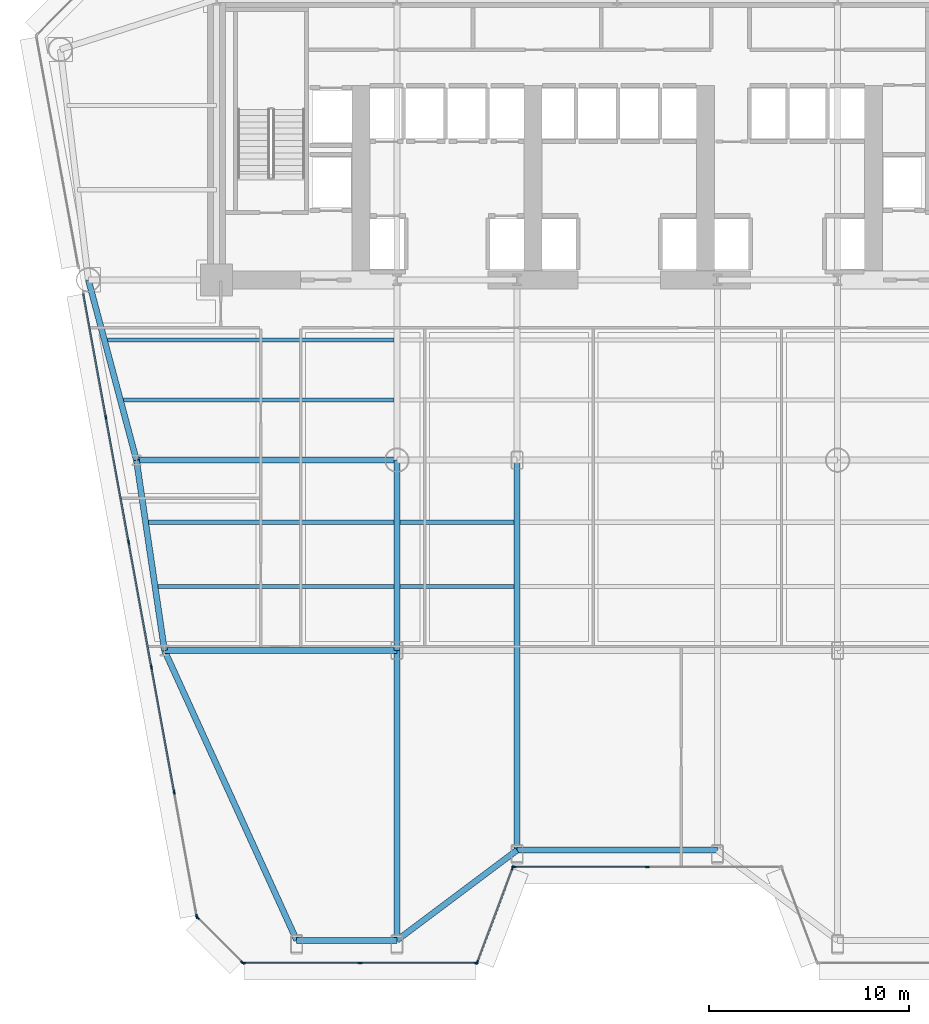
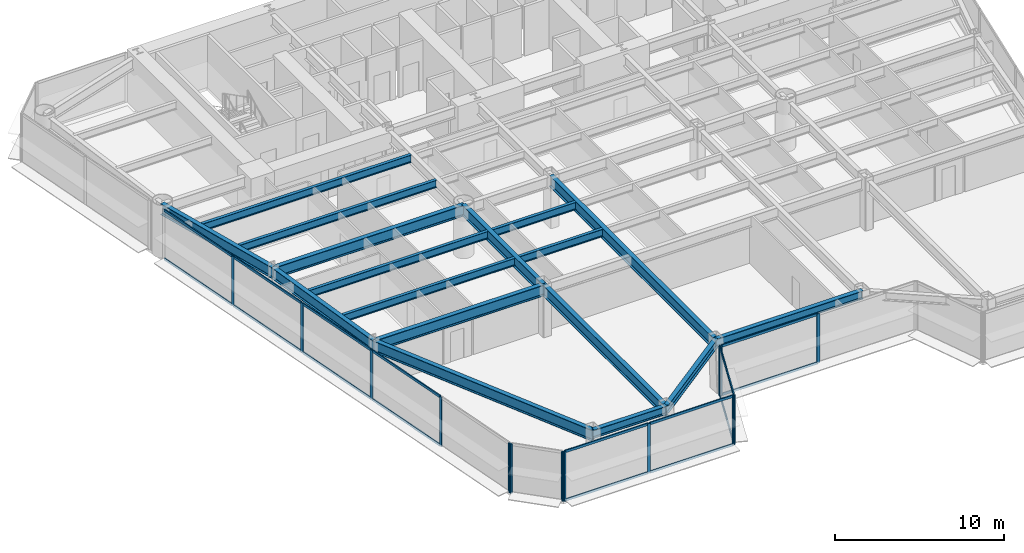
# One storey, part 2 of 14: 30 members, 17 beams, 5 elements without a shape of their own.
"""IFC4 building model written with IfcOpenShell, lengths in metres."""

from ifc_helpers import new_model, si_unit, direction, frame, origin, origin_2d, place, context, subcontext, project, spatial, rectangle, i_section, extrude, source, transform, mapped, material, layer, layer_set, material_profile, profile_set, type_object, element, aggregate, save


model = new_model("IFC4")

# Units and contexts
model_context = context("Model", 3, precision=1e-05, world=origin(), true_north=direction((0.0, 1.0)))
body_context = subcontext(model_context, "Body", "Model", "MODEL_VIEW")
ifc_project = project(units=[si_unit("LENGTHUNIT", "METRE"), si_unit("AREAUNIT", "SQUARE_METRE"), si_unit("VOLUMEUNIT", "CUBIC_METRE"), si_unit("PLANEANGLEUNIT", "RADIAN"), si_unit("MASSUNIT", "GRAM", prefix="KILO")], contexts=[model_context])

# Site, building, storey
site_placement = place(None, origin())
site = spatial("IfcSite", under=ifc_project, at=site_placement, CompositionType="ELEMENT")
building_placement = place(site_placement, origin())
building = spatial("IfcBuilding", under=site, at=building_placement, Name="Vaeldorn Concourse Tower", CompositionType="ELEMENT")
storey_placement = place(building_placement, frame((0.0, 0.0, 56.800048828125)))
storey = spatial("IfcBuildingStorey", under=building, at=storey_placement, Name="L14", CompositionType="ELEMENT", Elevation=56.800048828125)

# Beams
ifc_material_1 = material(Name="Steel S355", Category="steel")
ifc_material_profile_1 = material_profile(ifc_material_1, i_section(OverallWidth=0.300048828125, OverallDepth=0.800048828125, WebThickness=0.017578125, FlangeThickness=0.032958984375, FilletRadius=0.030029296875, at=origin_2d()), Name="HEB 800")
ifc_profile_set_1 = profile_set([ifc_material_profile_1], Name="Steel S355")
beam_type_1 = type_object("IfcBeamType", Name="BM-PG-HEB800", PredefinedType="BEAM", material=ifc_profile_set_1)
shared_shape_1 = source(origin(), body_context, "Body", "SweptSolid", [
    extrude(i_section(OverallWidth=0.300048828125, OverallDepth=0.800048828125, WebThickness=0.017578125, FlangeThickness=0.032958984375, FilletRadius=0.030029296875, at=origin_2d()), origin(), (0.0, 0.0, 1.0), 9.314453125),
])
beam_1_placement = place(storey_placement, frame((7.60009765625, 36.5, 3.179931640625), z_axis=(0.257652862255, -0.966237549763, 0.0), x_axis=(0.966237549763, 0.257652862255, 0.0)))
element("IfcBeam", 1, at=beam_1_placement, inside=storey, type_object=beam_type_1, Name="Beam BM-L14-C-NW2-C-FLW1", PredefinedType="BEAM", context=body_context, shape_type="MappedRepresentation", body=[
    mapped(shared_shape_1, transform((0.0, 0.0, 0.0), scale=1.0)),
])
shared_shape_2 = source(origin(), body_context, "Body", "SweptSolid", [
    extrude(i_section(OverallWidth=0.300048828125, OverallDepth=0.800048828125, WebThickness=0.017578125, FlangeThickness=0.032958984375, FilletRadius=0.030029296875, at=origin_2d()), origin(), (0.0, 0.0, 1.0), 13.0),
])
beam_2_placement = place(storey_placement, frame((10.0, 27.5, 3.179931640625), z_axis=(1.0, 0.0, 0.0), x_axis=(0.0, 1.0, 0.0)))
element("IfcBeam", 2, at=beam_2_placement, inside=storey, type_object=beam_type_1, Name="Beam BM-L14-C-FLW1-C-TW1", PredefinedType="BEAM", context=body_context, shape_type="MappedRepresentation", body=[
    mapped(shared_shape_2, transform((0.0, 0.0, 0.0), scale=1.0)),
])
ifc_material_profile_2 = material_profile(ifc_material_1, i_section(OverallWidth=0.300048828125, OverallDepth=0.60009765625, WebThickness=0.015380859375, FlangeThickness=0.030029296875, FilletRadius=0.027099609375, at=origin_2d()), Name="HEB 600")
ifc_profile_set_2 = profile_set([ifc_material_profile_2], Name="Steel S355")
beam_type_2 = type_object("IfcBeamType", Name="BM-SP-HEB600", PredefinedType="SPANDREL", material=ifc_profile_set_2)
shared_shape_3 = source(origin(), body_context, "Body", "SweptSolid", [
    extrude(i_section(OverallWidth=0.300048828125, OverallDepth=0.60009765625, WebThickness=0.015380859375, FlangeThickness=0.030029296875, FilletRadius=0.027099609375, at=origin_2d()), origin(), (0.0, 0.0, 1.0), 5.0),
])
beam_3_placement = place(storey_placement, frame((18.0, 3.52978515625, 3.280029296875), z_axis=(1.0, 0.0, 0.0), x_axis=(0.0, 1.0, 0.0)))
element("IfcBeam", 3, at=beam_3_placement, inside=storey, type_object=beam_type_2, Name="Beam BM-L14-C-SF1-C-SF2", PredefinedType="SPANDREL", context=body_context, shape_type="MappedRepresentation", body=[
    mapped(shared_shape_3, transform((0.0, 0.0, 0.0), scale=1.0)),
])
shared_shape_4 = source(origin(), body_context, "Body", "SweptSolid", [
    extrude(i_section(OverallWidth=0.300048828125, OverallDepth=0.60009765625, WebThickness=0.015380859375, FlangeThickness=0.030029296875, FilletRadius=0.027099609375, at=origin_2d()), origin(), (0.0, 0.0, 1.0), 7.5),
])
beam_4_placement = place(storey_placement, frame((23.0, 3.52978515625, 3.280029296875), z_axis=(0.8, 0.6, 0.0), x_axis=(-0.6, 0.8, 0.0)))
element("IfcBeam", 4, at=beam_4_placement, inside=storey, type_object=beam_type_2, Name="Beam BM-L14-C-SF2-C-SF3", PredefinedType="SPANDREL", context=body_context, shape_type="MappedRepresentation", body=[
    mapped(shared_shape_4, transform((0.0, 0.0, 0.0), scale=1.0)),
])
shared_shape_5 = source(origin(), body_context, "Body", "SweptSolid", [
    extrude(i_section(OverallWidth=0.300048828125, OverallDepth=0.60009765625, WebThickness=0.015380859375, FlangeThickness=0.030029296875, FilletRadius=0.027099609375, at=origin_2d()), origin(), (0.0, 0.0, 1.0), 10.0),
])
beam_5_placement = place(storey_placement, frame((29.0, 8.02978515625, 3.280029296875), z_axis=(1.0, 0.0, 0.0), x_axis=(0.0, 1.0, 0.0)))
element("IfcBeam", 5, at=beam_5_placement, inside=storey, type_object=beam_type_2, Name="Beam BM-L14-C-SF3-C-SF4", PredefinedType="SPANDREL", context=body_context, shape_type="MappedRepresentation", body=[
    mapped(shared_shape_5, transform((0.0, 0.0, 0.0), scale=1.0)),
])
shared_shape_6 = source(origin(), body_context, "Body", "SweptSolid", [
    extrude(i_section(OverallWidth=0.300048828125, OverallDepth=0.800048828125, WebThickness=0.017578125, FlangeThickness=0.032958984375, FilletRadius=0.030029296875, at=origin_2d()), origin(), (0.0, 0.0, 1.0), 9.6025390625),
])
beam_6_placement = place(storey_placement, frame((10.0, 27.5, 3.179931640625), z_axis=(0.145783835977, -0.989316467652, 0.0), x_axis=(0.989316467652, 0.145783835977, 0.0)))
element("IfcBeam", 6, at=beam_6_placement, inside=storey, type_object=beam_type_1, Name="Beam BM-L14-C-FLW1-C-FLW2", PredefinedType="BEAM", context=body_context, shape_type="MappedRepresentation", body=[
    mapped(shared_shape_6, transform((0.0, 0.0, 0.0), scale=1.0)),
])
shared_shape_7 = source(origin(), body_context, "Body", "SweptSolid", [
    extrude(i_section(OverallWidth=0.300048828125, OverallDepth=0.800048828125, WebThickness=0.017578125, FlangeThickness=0.032958984375, FilletRadius=0.030029296875, at=origin_2d()), origin(), (0.0, 0.0, 1.0), 11.60009765625),
])
beam_7_placement = place(storey_placement, frame((11.39990234375, 18.0, 3.179931640625), z_axis=(1.0, 0.0, 0.0), x_axis=(0.0, 1.0, 0.0)))
element("IfcBeam", 7, at=beam_7_placement, inside=storey, type_object=beam_type_1, Name="Beam BM-L14-C-FLW2-C-TW5", PredefinedType="BEAM", context=body_context, shape_type="MappedRepresentation", body=[
    mapped(shared_shape_7, transform((0.0, 0.0, 0.0), scale=1.0)),
])
shared_shape_8 = source(origin(), body_context, "Body", "SweptSolid", [
    extrude(i_section(OverallWidth=0.300048828125, OverallDepth=0.800048828125, WebThickness=0.017578125, FlangeThickness=0.032958984375, FilletRadius=0.030029296875, at=origin_2d()), origin(), (0.0, 0.0, 1.0), 9.5),
])
beam_8_placement = place(storey_placement, frame((23.0, 18.0, 3.179931640625), z_axis=(0.0, 1.0, 0.0), x_axis=(-1.0, 0.0, 0.0)))
element("IfcBeam", 8, at=beam_8_placement, inside=storey, type_object=beam_type_1, Name="Beam BM-L14-C-TW5-C-TW1", PredefinedType="BEAM", context=body_context, shape_type="MappedRepresentation", body=[
    mapped(shared_shape_8, transform((0.0, 0.0, 0.0), scale=1.0)),
])
ifc_material_profile_3 = material_profile(ifc_material_1, i_section(OverallWidth=0.2099609375, OverallDepth=0.550048828125, WebThickness=0.010986328125, FlangeThickness=0.01708984375, FilletRadius=0.02392578125, at=origin_2d()), Name="IPE 550")
ifc_profile_set_3 = profile_set([ifc_material_profile_3], Name="Steel S355")
beam_type_3 = type_object("IfcBeamType", Name="BM-JS-IPE550", PredefinedType="JOIST", material=ifc_profile_set_3)
shared_shape_9 = source(origin(), body_context, "Body", "SweptSolid", [
    extrude(i_section(OverallWidth=0.2099609375, OverallDepth=0.550048828125, WebThickness=0.010986328125, FlangeThickness=0.01708984375, FilletRadius=0.02392578125, at=origin_2d()), origin(), (0.0, 0.0, 1.0), 11.771728515625),
])
beam_9_placement = place(storey_placement, frame((11.078369140625, 21.199951171875, 3.304931640625), z_axis=(1.0, 0.0, 0.0), x_axis=(0.0, 1.0, 0.0)))
element("IfcBeam", 9, at=beam_9_placement, inside=storey, type_object=beam_type_3, Name="Beam JS-L14-W1-212", PredefinedType="JOIST", context=body_context, shape_type="MappedRepresentation", body=[
    mapped(shared_shape_9, transform((0.0, 0.0, 0.0), scale=1.0)),
])
shared_shape_10 = source(origin(), body_context, "Body", "SweptSolid", [
    extrude(i_section(OverallWidth=0.2099609375, OverallDepth=0.550048828125, WebThickness=0.010986328125, FlangeThickness=0.01708984375, FilletRadius=0.02392578125, at=origin_2d()), origin(), (0.0, 0.0, 1.0), 5.7001953125),
])
for number, where, z_axis, x_axis, name in (
    (10, (23.14990234375, 21.199951171875, 3.304931640625), (1.0, 0.0, 0.0), (0.0, 1.0, 0.0), "Beam JS-L14-W2-212"),
    (11, (23.14990234375, 24.39990234375, 3.304931640625), (1.0, 0.0, 0.0), (0.0, 1.0, 0.0), "Beam JS-L14-W2-244"),
):
    element("IfcBeam", number, at=place(storey_placement, frame(where, z_axis=z_axis, x_axis=x_axis)), inside=storey, type_object=beam_type_3, Name=name, PredefinedType="JOIST", context=body_context, shape_type="MappedRepresentation", body=[
        mapped(shared_shape_10, transform((0.0, 0.0, 0.0), scale=1.0)),
    ])
shared_shape_11 = source(origin(), body_context, "Body", "SweptSolid", [
    extrude(i_section(OverallWidth=0.2099609375, OverallDepth=0.550048828125, WebThickness=0.010986328125, FlangeThickness=0.01708984375, FilletRadius=0.02392578125, at=origin_2d()), origin(), (0.0, 0.0, 1.0), 12.243408203125),
])
beam_10_placement = place(storey_placement, frame((10.606689453125, 24.39990234375, 3.304931640625), z_axis=(1.0, 0.0, 0.0), x_axis=(0.0, 1.0, 0.0)))
element("IfcBeam", 12, at=beam_10_placement, inside=storey, type_object=beam_type_3, Name="Beam JS-L14-W1-244", PredefinedType="JOIST", context=body_context, shape_type="MappedRepresentation", body=[
    mapped(shared_shape_11, transform((0.0, 0.0, 0.0), scale=1.0)),
])
shared_shape_12 = source(origin(), body_context, "Body", "SweptSolid", [
    extrude(i_section(OverallWidth=0.2099609375, OverallDepth=0.550048828125, WebThickness=0.010986328125, FlangeThickness=0.01708984375, FilletRadius=0.02392578125, at=origin_2d()), origin(), (0.0, 0.0, 1.0), 13.5),
])
beam_11_placement = place(storey_placement, frame((9.35009765625, 30.5, 3.304931640625), z_axis=(1.0, 0.0, 0.0), x_axis=(0.0, 1.0, 0.0)))
element("IfcBeam", 13, at=beam_11_placement, inside=storey, type_object=beam_type_3, Name="Beam JS-L14-W1-305", PredefinedType="JOIST", context=body_context, shape_type="MappedRepresentation", body=[
    mapped(shared_shape_12, transform((0.0, 0.0, 0.0), scale=1.0)),
])
shared_shape_13 = source(origin(), body_context, "Body", "SweptSolid", [
    extrude(i_section(OverallWidth=0.2099609375, OverallDepth=0.550048828125, WebThickness=0.010986328125, FlangeThickness=0.01708984375, FilletRadius=0.02392578125, at=origin_2d()), origin(), (0.0, 0.0, 1.0), 14.300048828125),
])
beam_12_placement = place(storey_placement, frame((8.550048828125, 33.5, 3.304931640625), z_axis=(1.0, 0.0, 0.0), x_axis=(0.0, 1.0, 0.0)))
element("IfcBeam", 14, at=beam_12_placement, inside=storey, type_object=beam_type_3, Name="Beam JS-L14-W1-335", PredefinedType="JOIST", context=body_context, shape_type="MappedRepresentation", body=[
    mapped(shared_shape_13, transform((0.0, 0.0, 0.0), scale=1.0)),
])
shared_shape_14 = source(origin(), body_context, "Body", "SweptSolid", [
    extrude(i_section(OverallWidth=0.300048828125, OverallDepth=0.800048828125, WebThickness=0.017578125, FlangeThickness=0.032958984375, FilletRadius=0.030029296875, at=origin_2d()), origin(), (0.0, 0.0, 1.0), 15.904296875),
])
beam_13_placement = place(storey_placement, frame((18.0, 3.52978515625, 3.179931640625), z_axis=(-0.414986899968, 0.909827386296, 0.0), x_axis=(-0.909827386296, -0.414986899968, 0.0)))
element("IfcBeam", 15, at=beam_13_placement, inside=storey, type_object=beam_type_1, Name="Beam BM-L14-C-SF1-C-FLW2", PredefinedType="BEAM", context=body_context, shape_type="MappedRepresentation", body=[
    mapped(shared_shape_14, transform((0.0, 0.0, 0.0), scale=1.0)),
])
shared_shape_15 = source(origin(), body_context, "Body", "SweptSolid", [
    extrude(i_section(OverallWidth=0.300048828125, OverallDepth=0.800048828125, WebThickness=0.017578125, FlangeThickness=0.032958984375, FilletRadius=0.030029296875, at=origin_2d()), origin(), (0.0, 0.0, 1.0), 14.47021484375),
])
beam_14_placement = place(storey_placement, frame((23.0, 3.52978515625, 3.179931640625), z_axis=(0.0, 1.0, 0.0), x_axis=(-1.0, 0.0, 0.0)))
element("IfcBeam", 16, at=beam_14_placement, inside=storey, type_object=beam_type_1, Name="Beam BM-L14-C-SF2-C-TW5", PredefinedType="BEAM", context=body_context, shape_type="MappedRepresentation", body=[
    mapped(shared_shape_15, transform((0.0, 0.0, 0.0), scale=1.0)),
])
shared_shape_16 = source(origin(), body_context, "Body", "SweptSolid", [
    extrude(i_section(OverallWidth=0.300048828125, OverallDepth=0.800048828125, WebThickness=0.017578125, FlangeThickness=0.032958984375, FilletRadius=0.030029296875, at=origin_2d()), origin(), (0.0, 0.0, 1.0), 19.47021484375),
])
beam_15_placement = place(storey_placement, frame((29.0, 8.02978515625, 3.179931640625), z_axis=(0.0, 1.0, 0.0), x_axis=(-1.0, 0.0, 0.0)))
element("IfcBeam", 17, at=beam_15_placement, inside=storey, type_object=beam_type_1, Name="Beam BM-L14-C-SF3-C-TW2", PredefinedType="BEAM", context=body_context, shape_type="MappedRepresentation", body=[
    mapped(shared_shape_16, transform((0.0, 0.0, 0.0), scale=1.0)),
])

# Curtain wall, members
ifc_material_2 = material(Name="Anodised Bronze Aluminium", Category="aluminium")
ifc_layer = layer(ifc_material_2, 0.219970703125)
ifc_layer_set = layer_set([ifc_layer], Name="Anodised Bronze Aluminium")
curtain_wall_type = type_object("IfcCurtainWallType", Name="CW-SYS-01", PredefinedType="NOTDEFINED", material=ifc_layer_set)
curtain_wall_1_placement = place(storey_placement, origin())
curtain_wall_1 = element("IfcCurtainWall", 18, at=curtain_wall_1_placement, inside=storey, type_object=curtain_wall_type, Name="Unitised Curtain Wall CW-L14-E01-1", PredefinedType="NOTDEFINED")
ifc_material_profile_4 = material_profile(ifc_material_2, rectangle(XDim=0.074951171875, YDim=0.219970703125, at=origin_2d()), Name="CWM 75x220")
ifc_profile_set_4 = profile_set([ifc_material_profile_4], Name="Anodised Bronze Aluminium")
member_type_1 = type_object("IfcMemberType", Name="CWM-BRONZE-220", PredefinedType="MULLION", material=ifc_profile_set_4)
shared_shape_17 = source(origin(), body_context, "Body", "SweptSolid", [
    extrude(rectangle(XDim=0.074951171875, YDim=0.219970703125, at=origin_2d()), origin(), (0.0, 0.0, 1.0), 3.579833984375),
])
member_1_placement = place(storey_placement, frame((15.35791015625, 2.390869140625, 0.0), z_axis=(0.0, 0.0, 1.0), x_axis=(0.0, 1.0, 0.0)))
member_1 = element("IfcMember", 19, at=member_1_placement, type_object=member_type_1, Name="CW-01 mullion 1", PredefinedType="MULLION", context=body_context, shape_type="MappedRepresentation", body=[
    mapped(shared_shape_17, transform((0.0, 0.0, 0.0), scale=1.0)),
])
member_2_placement = place(storey_placement, frame((21.16015625, 2.390869140625, 0.0), z_axis=(0.0, 0.0, 1.0), x_axis=(0.0, 1.0, 0.0)))
member_2 = element("IfcMember", 20, at=member_2_placement, type_object=member_type_1, Name="CW-01 mullion 2", PredefinedType="MULLION", context=body_context, shape_type="MappedRepresentation", body=[
    mapped(shared_shape_17, transform((0.0, 0.0, 0.0), scale=1.0)),
])
member_3_placement = place(storey_placement, frame((26.96240234375, 2.390869140625, 0.0), z_axis=(0.0, 0.0, 1.0), x_axis=(0.0, 1.0, 0.0)))
member_3 = element("IfcMember", 21, at=member_3_placement, type_object=member_type_1, Name="CW-01 mullion 3", PredefinedType="MULLION", context=body_context, shape_type="MappedRepresentation", body=[
    mapped(shared_shape_17, transform((0.0, 0.0, 0.0), scale=1.0)),
])

curtain_wall_2_placement = place(storey_placement, origin())
curtain_wall_2 = element("IfcCurtainWall", 22, at=curtain_wall_2_placement, inside=storey, type_object=curtain_wall_type, Name="Unitised Curtain Wall CW-L14-E02-1", PredefinedType="NOTDEFINED")
member_4_placement = place(storey_placement, frame((27.01318359375, 2.426025390625, 0.0), z_axis=(0.0, 0.0, 1.0), x_axis=(-0.936329177566, 0.351123441595, 0.0)))
member_4 = element("IfcMember", 23, at=member_4_placement, type_object=member_type_1, Name="CW-01 mullion 1", PredefinedType="MULLION", context=body_context, shape_type="MappedRepresentation", body=[
    mapped(shared_shape_17, transform((0.0, 0.0, 0.0), scale=1.0)),
])
member_5_placement = place(storey_placement, frame((28.786865234375, 7.15576171875, 0.0), z_axis=(0.0, 0.0, 1.0), x_axis=(-0.936329177566, 0.351123441595, 0.0)))
member_5 = element("IfcMember", 24, at=member_5_placement, type_object=member_type_1, Name="CW-01 mullion 2", PredefinedType="MULLION", context=body_context, shape_type="MappedRepresentation", body=[
    mapped(shared_shape_17, transform((0.0, 0.0, 0.0), scale=1.0)),
])

curtain_wall_3_placement = place(storey_placement, origin())
curtain_wall_3 = element("IfcCurtainWall", 25, at=curtain_wall_3_placement, inside=storey, type_object=curtain_wall_type, Name="Unitised Curtain Wall CW-L14-E03-1", PredefinedType="NOTDEFINED")
member_6_placement = place(storey_placement, frame((28.83740234375, 7.19091796875, 0.0), z_axis=(0.0, 0.0, 1.0), x_axis=(0.0, 1.0, 0.0)))
member_6 = element("IfcMember", 26, at=member_6_placement, type_object=member_type_1, Name="CW-01 mullion 1", PredefinedType="MULLION", context=body_context, shape_type="MappedRepresentation", body=[
    mapped(shared_shape_17, transform((0.0, 0.0, 0.0), scale=1.0)),
])
member_7_placement = place(storey_placement, frame((35.5, 7.19091796875, 0.0), z_axis=(0.0, 0.0, 1.0), x_axis=(0.0, 1.0, 0.0)))
member_7 = element("IfcMember", 27, at=member_7_placement, type_object=member_type_1, Name="CW-01 mullion 2", PredefinedType="MULLION", context=body_context, shape_type="MappedRepresentation", body=[
    mapped(shared_shape_17, transform((0.0, 0.0, 0.0), scale=1.0)),
])

curtain_wall_4_placement = place(storey_placement, origin())
curtain_wall_4 = element("IfcCurtainWall", 28, at=curtain_wall_4_placement, inside=storey, type_object=curtain_wall_type, Name="Unitised Curtain Wall CW-L14-E11-2", PredefinedType="NOTDEFINED")
member_8_placement = place(storey_placement, frame((8.47314453125, 29.642578125, 0.0), z_axis=(0.0, 0.0, 1.0), x_axis=(0.9837957391, 0.179292899269, 0.0)))
member_8 = element("IfcMember", 29, at=member_8_placement, type_object=member_type_1, Name="CW-01 mullion 2", PredefinedType="MULLION", context=body_context, shape_type="MappedRepresentation", body=[
    mapped(shared_shape_17, transform((0.0, 0.0, 0.0), scale=1.0)),
])
member_9_placement = place(storey_placement, frame((9.60986328125, 23.404541015625, 0.0), z_axis=(0.0, 0.0, 1.0), x_axis=(0.9837957391, 0.179292899269, 0.0)))
member_9 = element("IfcMember", 30, at=member_9_placement, type_object=member_type_1, Name="CW-01 mullion 3", PredefinedType="MULLION", context=body_context, shape_type="MappedRepresentation", body=[
    mapped(shared_shape_17, transform((0.0, 0.0, 0.0), scale=1.0)),
])
member_10_placement = place(storey_placement, frame((10.746826171875, 17.166748046875, 0.0), z_axis=(0.0, 0.0, 1.0), x_axis=(0.9837957391, 0.179292899269, 0.0)))
member_10 = element("IfcMember", 31, at=member_10_placement, type_object=member_type_1, Name="CW-01 mullion 4", PredefinedType="MULLION", context=body_context, shape_type="MappedRepresentation", body=[
    mapped(shared_shape_17, transform((0.0, 0.0, 0.0), scale=1.0)),
])
member_11_placement = place(storey_placement, frame((11.883544921875, 10.9287109375, 0.0), z_axis=(0.0, 0.0, 1.0), x_axis=(0.9837957391, 0.179292899269, 0.0)))
member_11 = element("IfcMember", 32, at=member_11_placement, type_object=member_type_1, Name="CW-01 mullion 5", PredefinedType="MULLION", context=body_context, shape_type="MappedRepresentation", body=[
    mapped(shared_shape_17, transform((0.0, 0.0, 0.0), scale=1.0)),
])
member_12_placement = place(storey_placement, frame((13.013671875, 4.727783203125, 0.0), z_axis=(0.0, 0.0, 1.0), x_axis=(0.9837957391, 0.179292899269, 0.0)))
member_12 = element("IfcMember", 33, at=member_12_placement, type_object=member_type_1, Name="CW-01 mullion 6", PredefinedType="MULLION", context=body_context, shape_type="MappedRepresentation", body=[
    mapped(shared_shape_17, transform((0.0, 0.0, 0.0), scale=1.0)),
])

curtain_wall_5_placement = place(storey_placement, origin())
curtain_wall_5 = element("IfcCurtainWall", 34, at=curtain_wall_5_placement, inside=storey, type_object=curtain_wall_type, Name="Unitised Curtain Wall CW-L14-E12-1", PredefinedType="NOTDEFINED")
member_13_placement = place(storey_placement, frame((13.047119140625, 4.664306640625, 0.0), z_axis=(0.0, 0.0, 1.0), x_axis=(0.707106781187, 0.707106781187, 0.0)))
member_13 = element("IfcMember", 35, at=member_13_placement, type_object=member_type_1, Name="CW-01 mullion 1", PredefinedType="MULLION", context=body_context, shape_type="MappedRepresentation", body=[
    mapped(shared_shape_17, transform((0.0, 0.0, 0.0), scale=1.0)),
])
member_14_placement = place(storey_placement, frame((15.2939453125, 2.417236328125, 0.0), z_axis=(0.0, 0.0, 1.0), x_axis=(0.707106781187, 0.707106781187, 0.0)))
member_14 = element("IfcMember", 36, at=member_14_placement, type_object=member_type_1, Name="CW-01 mullion 2", PredefinedType="MULLION", context=body_context, shape_type="MappedRepresentation", body=[
    mapped(shared_shape_17, transform((0.0, 0.0, 0.0), scale=1.0)),
])
aggregate(curtain_wall_5, [member_13, member_14])

# Member
ifc_material_profile_5 = material_profile(ifc_material_2, rectangle(XDim=0.074951171875, YDim=0.179931640625, at=origin_2d()), Name="CWT 75x180")
ifc_profile_set_5 = profile_set([ifc_material_profile_5], Name="Anodised Bronze Aluminium")
member_type_2 = type_object("IfcMemberType", Name="CWT-BRONZE-180", PredefinedType="USERDEFINED", material=ifc_profile_set_5)
shared_shape_18 = source(origin(), body_context, "Body", "SweptSolid", [
    extrude(rectangle(XDim=0.074951171875, YDim=0.179931640625, at=origin_2d()), origin(), (0.0, 0.0, 1.0), 6.58740234375),
])
member_15_placement = place(storey_placement, frame((28.875, 7.19091796875, 0.037353515625), z_axis=(1.0, 0.0, 0.0), x_axis=(0.0, 1.0, 0.0)))
member_15 = element("IfcMember", 37, at=member_15_placement, type_object=member_type_2, Name="CW-01 transom 1.1", ObjectType="TRANSOM", PredefinedType="USERDEFINED", context=body_context, shape_type="MappedRepresentation", body=[
    mapped(shared_shape_18, transform((0.0, 0.0, 0.0), scale=1.0)),
])

member_16_placement = place(storey_placement, frame((28.875, 7.19091796875, 3.54248046875), z_axis=(1.0, 0.0, 0.0), x_axis=(0.0, 1.0, 0.0)))
member_16 = element("IfcMember", 38, at=member_16_placement, type_object=member_type_2, Name="CW-01 transom 1.2", ObjectType="TRANSOM", PredefinedType="USERDEFINED", context=body_context, shape_type="MappedRepresentation", body=[
    mapped(shared_shape_18, transform((0.0, 0.0, 0.0), scale=1.0)),
])

aggregate(curtain_wall_3, [member_6, member_7, member_15, member_16])

shared_shape_19 = source(origin(), body_context, "Body", "SweptSolid", [
    extrude(rectangle(XDim=0.074951171875, YDim=0.179931640625, at=origin_2d()), origin(), (0.0, 0.0, 1.0), 4.9765625),
])
member_17_placement = place(storey_placement, frame((27.0263671875, 2.4609375, 0.037353515625), z_axis=(0.351112688987, 0.936333209724, 0.0), x_axis=(-0.936333209724, 0.351112688987, 0.0)))
member_17 = element("IfcMember", 39, at=member_17_placement, type_object=member_type_2, Name="CW-01 transom 1.1", ObjectType="TRANSOM", PredefinedType="USERDEFINED", context=body_context, shape_type="MappedRepresentation", body=[
    mapped(shared_shape_19, transform((0.0, 0.0, 0.0), scale=1.0)),
])

member_18_placement = place(storey_placement, frame((27.0263671875, 2.4609375, 3.54248046875), z_axis=(0.351112688987, 0.936333209724, 0.0), x_axis=(-0.936333209724, 0.351112688987, 0.0)))
member_18 = element("IfcMember", 40, at=member_18_placement, type_object=member_type_2, Name="CW-01 transom 1.2", ObjectType="TRANSOM", PredefinedType="USERDEFINED", context=body_context, shape_type="MappedRepresentation", body=[
    mapped(shared_shape_19, transform((0.0, 0.0, 0.0), scale=1.0)),
])

aggregate(curtain_wall_2, [member_4, member_5, member_17, member_18])

shared_shape_20 = source(origin(), body_context, "Body", "SweptSolid", [
    extrude(rectangle(XDim=0.074951171875, YDim=0.179931640625, at=origin_2d()), origin(), (0.0, 0.0, 1.0), 5.727294921875),
])
member_19_placement = place(storey_placement, frame((15.3955078125, 2.390869140625, 0.037353515625), z_axis=(1.0, 0.0, 0.0), x_axis=(0.0, 1.0, 0.0)))
member_19 = element("IfcMember", 41, at=member_19_placement, type_object=member_type_2, Name="CW-01 transom 1.1", ObjectType="TRANSOM", PredefinedType="USERDEFINED", context=body_context, shape_type="MappedRepresentation", body=[
    mapped(shared_shape_20, transform((0.0, 0.0, 0.0), scale=1.0)),
])

member_20_placement = place(storey_placement, frame((15.3955078125, 2.390869140625, 3.54248046875), z_axis=(1.0, 0.0, 0.0), x_axis=(0.0, 1.0, 0.0)))
member_20 = element("IfcMember", 42, at=member_20_placement, type_object=member_type_2, Name="CW-01 transom 1.2", ObjectType="TRANSOM", PredefinedType="USERDEFINED", context=body_context, shape_type="MappedRepresentation", body=[
    mapped(shared_shape_20, transform((0.0, 0.0, 0.0), scale=1.0)),
])

member_21_placement = place(storey_placement, frame((21.19775390625, 2.390869140625, 0.037353515625), z_axis=(1.0, 0.0, 0.0), x_axis=(0.0, 1.0, 0.0)))
member_21 = element("IfcMember", 43, at=member_21_placement, type_object=member_type_2, Name="CW-01 transom 2.1", ObjectType="TRANSOM", PredefinedType="USERDEFINED", context=body_context, shape_type="MappedRepresentation", body=[
    mapped(shared_shape_20, transform((0.0, 0.0, 0.0), scale=1.0)),
])

member_22_placement = place(storey_placement, frame((21.19775390625, 2.390869140625, 3.54248046875), z_axis=(1.0, 0.0, 0.0), x_axis=(0.0, 1.0, 0.0)))
member_22 = element("IfcMember", 44, at=member_22_placement, type_object=member_type_2, Name="CW-01 transom 2.2", ObjectType="TRANSOM", PredefinedType="USERDEFINED", context=body_context, shape_type="MappedRepresentation", body=[
    mapped(shared_shape_20, transform((0.0, 0.0, 0.0), scale=1.0)),
])

aggregate(curtain_wall_1, [member_1, member_2, member_3, member_19, member_20, member_21, member_22])

shared_shape_21 = source(origin(), body_context, "Body", "SweptSolid", [
    extrude(rectangle(XDim=0.074951171875, YDim=0.179931640625, at=origin_2d()), origin(), (0.0, 0.0, 1.0), 6.22802734375),
])
member_23_placement = place(storey_placement, frame((7.349853515625, 35.806640625, 0.037353515625), z_axis=(0.179261431182, -0.983801473515, 0.0), x_axis=(0.983801473515, 0.179261431182, 0.0)))
member_23 = element("IfcMember", 45, at=member_23_placement, type_object=member_type_2, Name="CW-01 transom 1.1", ObjectType="TRANSOM", PredefinedType="USERDEFINED", context=body_context, shape_type="MappedRepresentation", body=[
    mapped(shared_shape_21, transform((0.0, 0.0, 0.0), scale=1.0)),
])

member_24_placement = place(storey_placement, frame((7.349853515625, 35.806640625, 3.54248046875), z_axis=(0.179261431182, -0.983801473515, 0.0), x_axis=(0.983801473515, 0.179261431182, 0.0)))
member_24 = element("IfcMember", 46, at=member_24_placement, type_object=member_type_2, Name="CW-01 transom 1.2", ObjectType="TRANSOM", PredefinedType="USERDEFINED", context=body_context, shape_type="MappedRepresentation", body=[
    mapped(shared_shape_21, transform((0.0, 0.0, 0.0), scale=1.0)),
])

shared_shape_22 = source(origin(), body_context, "Body", "SweptSolid", [
    extrude(rectangle(XDim=0.074951171875, YDim=0.179931640625, at=origin_2d()), origin(), (0.0, 0.0, 1.0), 6.265869140625),
])
member_25_placement = place(storey_placement, frame((8.47998046875, 29.605712890625, 0.037353515625), z_axis=(0.179272881301, -0.983799387086, 0.0), x_axis=(0.983799387086, 0.179272881301, 0.0)))
member_25 = element("IfcMember", 47, at=member_25_placement, type_object=member_type_2, Name="CW-01 transom 2.1", ObjectType="TRANSOM", PredefinedType="USERDEFINED", context=body_context, shape_type="MappedRepresentation", body=[
    mapped(shared_shape_22, transform((0.0, 0.0, 0.0), scale=1.0)),
])

member_26_placement = place(storey_placement, frame((8.47998046875, 29.605712890625, 3.54248046875), z_axis=(0.179272881301, -0.983799387086, 0.0), x_axis=(0.983799387086, 0.179272881301, 0.0)))
member_26 = element("IfcMember", 48, at=member_26_placement, type_object=member_type_2, Name="CW-01 transom 2.2", ObjectType="TRANSOM", PredefinedType="USERDEFINED", context=body_context, shape_type="MappedRepresentation", body=[
    mapped(shared_shape_22, transform((0.0, 0.0, 0.0), scale=1.0)),
])

member_27_placement = place(storey_placement, frame((10.753662109375, 17.1298828125, 0.037353515625), z_axis=(0.179272881301, -0.983799387086, 0.0), x_axis=(0.983799387086, 0.179272881301, 0.0)))
member_27 = element("IfcMember", 49, at=member_27_placement, type_object=member_type_2, Name="CW-01 transom 4.1", ObjectType="TRANSOM", PredefinedType="USERDEFINED", context=body_context, shape_type="MappedRepresentation", body=[
    mapped(shared_shape_22, transform((0.0, 0.0, 0.0), scale=1.0)),
])

member_28_placement = place(storey_placement, frame((10.753662109375, 17.1298828125, 3.54248046875), z_axis=(0.179272881301, -0.983799387086, 0.0), x_axis=(0.983799387086, 0.179272881301, 0.0)))
member_28 = element("IfcMember", 50, at=member_28_placement, type_object=member_type_2, Name="CW-01 transom 4.2", ObjectType="TRANSOM", PredefinedType="USERDEFINED", context=body_context, shape_type="MappedRepresentation", body=[
    mapped(shared_shape_22, transform((0.0, 0.0, 0.0), scale=1.0)),
])

shared_shape_23 = source(origin(), body_context, "Body", "SweptSolid", [
    extrude(rectangle(XDim=0.074951171875, YDim=0.179931640625, at=origin_2d()), origin(), (0.0, 0.0, 1.0), 6.265625),
])
member_29_placement = place(storey_placement, frame((9.61669921875, 23.36767578125, 0.037353515625), z_axis=(0.179279753566, -0.983798134762, 0.0), x_axis=(0.983798134762, 0.179279753566, 0.0)))
member_29 = element("IfcMember", 51, at=member_29_placement, type_object=member_type_2, Name="CW-01 transom 3.1", ObjectType="TRANSOM", PredefinedType="USERDEFINED", context=body_context, shape_type="MappedRepresentation", body=[
    mapped(shared_shape_23, transform((0.0, 0.0, 0.0), scale=1.0)),
])

member_30_placement = place(storey_placement, frame((9.61669921875, 23.36767578125, 3.54248046875), z_axis=(0.179279753566, -0.983798134762, 0.0), x_axis=(0.983798134762, 0.179279753566, 0.0)))
member_30 = element("IfcMember", 52, at=member_30_placement, type_object=member_type_2, Name="CW-01 transom 3.2", ObjectType="TRANSOM", PredefinedType="USERDEFINED", context=body_context, shape_type="MappedRepresentation", body=[
    mapped(shared_shape_23, transform((0.0, 0.0, 0.0), scale=1.0)),
])

aggregate(curtain_wall_4, [member_8, member_9, member_10, member_11, member_12, member_23, member_24, member_25, member_26, member_29, member_30, member_27, member_28])

save(model, "model.ifc")
